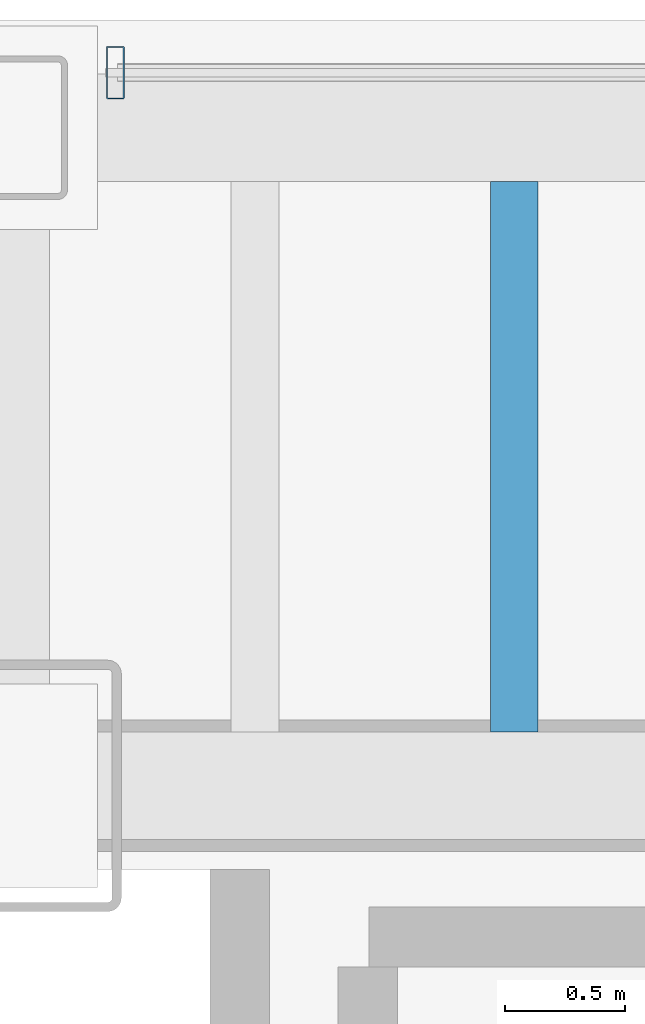
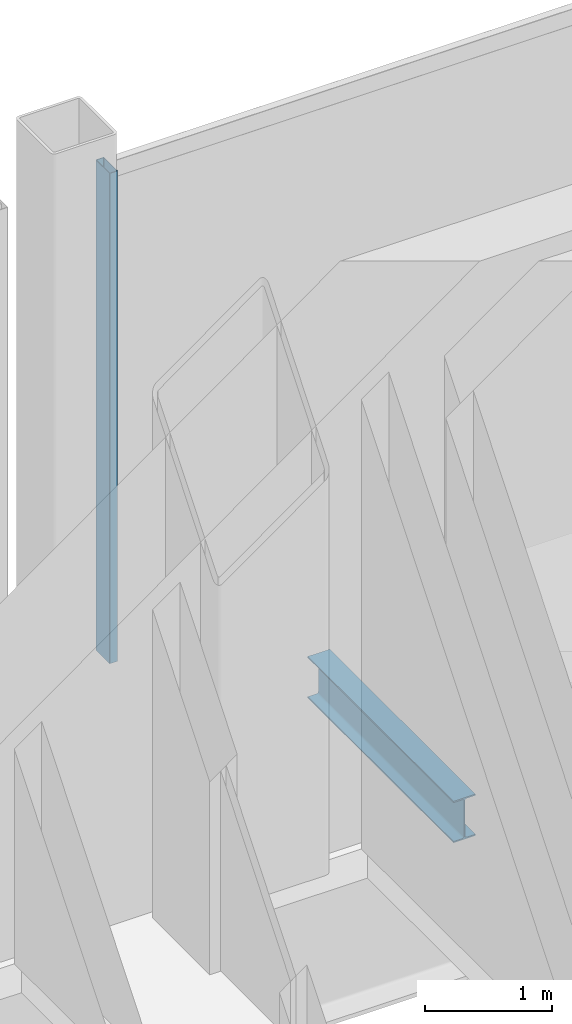
# One storey, part 10 of 20: 1 beam, 1 member, 1 element without a shape of its own.
"""IFC4 building model written with IfcOpenShell, lengths in metres."""

from ifc_helpers import new_model, si_unit, direction, frame, origin, origin_2d, place, context, subcontext, project, spatial, hollow_rectangle, i_section, extrude, material, material_profile, profile_set, type_object, element, aggregate, save


model = new_model("IFC4")

# Units and contexts
model_context = context("Model", 3, precision=1e-05, world=origin(), true_north=direction((0.0, 1.0)))
body_context = subcontext(model_context, "Body", "Model", "MODEL_VIEW")
ifc_project = project(units=[si_unit("LENGTHUNIT", "METRE"), si_unit("AREAUNIT", "SQUARE_METRE"), si_unit("VOLUMEUNIT", "CUBIC_METRE"), si_unit("PLANEANGLEUNIT", "RADIAN"), si_unit("MASSUNIT", "GRAM", prefix="KILO")], contexts=[model_context])

# Site, building, storey
site_placement = place(None, origin())
site = spatial("IfcSite", under=ifc_project, at=site_placement, CompositionType="ELEMENT")
building_placement = place(site_placement, origin())
building = spatial("IfcBuilding", under=site, at=building_placement, Name="Noeulbin Bourse Tower", CompositionType="ELEMENT")
storey_placement = place(building_placement, frame((0.0, 0.0, 100.60009765625)))
storey = spatial("IfcBuildingStorey", under=building, at=storey_placement, Name="L25", CompositionType="ELEMENT", Elevation=100.60009765625)

# Beam
ifc_material_1 = material(Name="Steel S355", Category="steel")
ifc_material_profile_1 = material_profile(ifc_material_1, i_section(OverallWidth=0.199951171875, OverallDepth=0.39990234375, WebThickness=0.008056640625, FlangeThickness=0.012939453125, FilletRadius=0.01611328125, at=origin_2d()), Name="H-400x200x8x13", Category="LoadBearing")
ifc_profile_set_1 = profile_set([ifc_material_profile_1], Name="Steel S355")
beam_type = type_object("IfcBeamType", Name="BM-SEC-400", PredefinedType="BEAM", material=ifc_profile_set_1)
beam_placement = place(storey_placement, frame((39.666748046875, 38.52490234375, -0.5), z_axis=(0.0, 1.0, 0.0), x_axis=(-1.0, 0.0, 0.0)))
element("IfcBeam", 1, at=beam_placement, inside=storey, type_object=beam_type, Name="Tower Composite Joist L25-60", PredefinedType="BEAM", context=body_context, shape_type="SweptSolid", body=[
    extrude(i_section(OverallWidth=0.199951171875, OverallDepth=0.39990234375, WebThickness=0.008056640625, FlangeThickness=0.012939453125, FilletRadius=0.01611328125, at=origin_2d()), origin(), (0.0, 0.0, 1.0), 2.300048828125),
])

# Curtain wall, member
ifc_material_2 = material(Name="Translucent Ceramic-Fritted Glass", Category="glass")
curtain_wall_type = type_object("IfcCurtainWallType", Name="CW-SYS-5", PredefinedType="NOTDEFINED", material=ifc_material_2)
curtain_wall_placement = place(storey_placement, origin())
curtain_wall = element("IfcCurtainWall", 2, at=curtain_wall_placement, inside=storey, type_object=curtain_wall_type, Name="Unitised Curtain Wall CW-L25-N-S5", PredefinedType="NOTDEFINED")
ifc_material_3 = material(Name="Anodised Aluminium 6063-T6", Category="aluminium")
ifc_material_profile_2 = material_profile(ifc_material_3, hollow_rectangle(XDim=0.074951171875, YDim=0.219970703125, WallThickness=0.0048828125, InnerFilletRadius=0.00244140625, OuterFilletRadius=0.0048828125, at=origin_2d()), Name="ALU-MULL-75x220x5", Category="LoadBearing")
ifc_profile_set_2 = profile_set([ifc_material_profile_2], Name="Anodised Aluminium 6063-T6")
member_type = type_object("IfcMemberType", Name="CW-SYS-5-MUL", PredefinedType="MULLION", material=ifc_profile_set_2)
member_placement = place(storey_placement, frame((38.0, 41.280029296875, -0.02001953125), z_axis=(0.0, 0.0, 1.0), x_axis=(1.0, 0.0, 0.0)))
member = element("IfcMember", 3, at=member_placement, type_object=member_type, Name="Curtain Wall Mullion CW-L25-N-S5-M00", PredefinedType="MULLION", context=body_context, shape_type="SweptSolid", body=[
    extrude(hollow_rectangle(XDim=0.074951171875, YDim=0.219970703125, WallThickness=0.0048828125, InnerFilletRadius=0.00244140625, OuterFilletRadius=0.0048828125, at=origin_2d()), origin(), (0.0, 0.0, 1.0), 4.719970703125),
])
aggregate(curtain_wall, [member])

save(model, "model.ifc")
